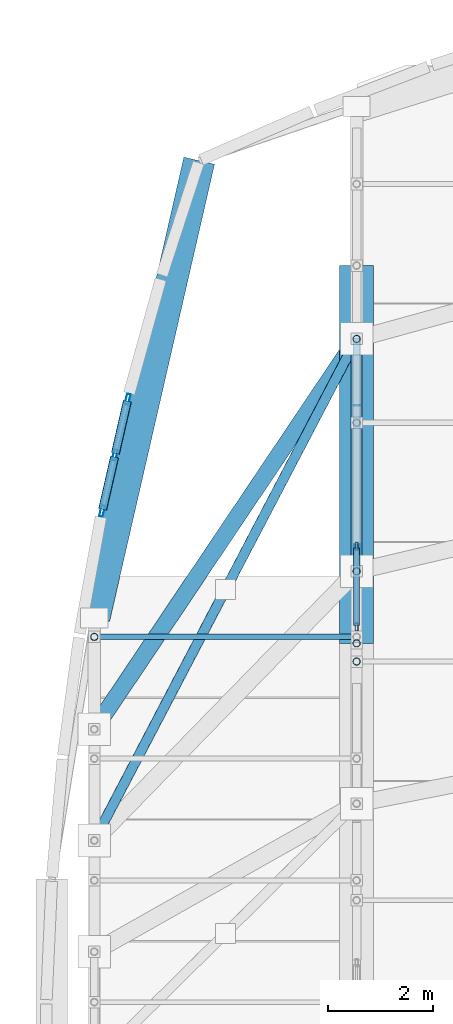
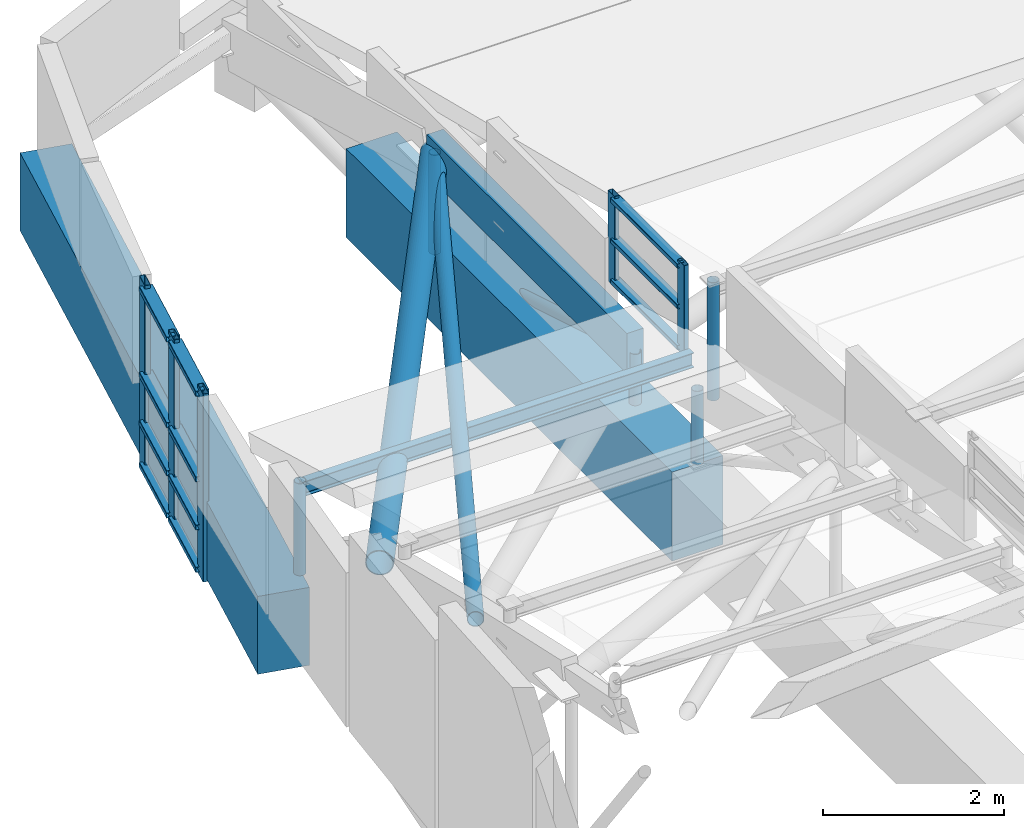
# One storey, part 86 of 188: 26 members, 2 beams, 2 elements without a shape of their own.
"""IFC4 building model written with IfcOpenShell, lengths in metres."""

from ifc_helpers import new_model, si_unit, direction, frame, origin, origin_2d, place, context, subcontext, project, spatial, rectangle, hollow_rectangle, hollow_circle, i_section, extrude, material, layer, layer_set, material_profile, profile_set, type_object, element, aggregate, save


model = new_model("IFC4")

# Units and contexts
model_context = context("Model", 3, precision=1e-05, world=origin(), true_north=direction((0.0, 1.0)))
body_context = subcontext(model_context, "Body", "Model", "MODEL_VIEW")
ifc_project = project(units=[si_unit("LENGTHUNIT", "METRE"), si_unit("AREAUNIT", "SQUARE_METRE"), si_unit("VOLUMEUNIT", "CUBIC_METRE"), si_unit("PLANEANGLEUNIT", "RADIAN"), si_unit("MASSUNIT", "GRAM", prefix="KILO")], contexts=[model_context])

# Site, building, storey
site_placement = place(None, origin())
site = spatial("IfcSite", under=ifc_project, at=site_placement, CompositionType="ELEMENT")
building_placement = place(site_placement, origin())
building = spatial("IfcBuilding", under=site, at=building_placement, Name="Kisaragi Civic Commons", CompositionType="ELEMENT")
storey_placement = place(building_placement, frame((0.0, 0.0, 9.60009765625)))
storey = spatial("IfcBuildingStorey", under=building, at=storey_placement, Name="L02", CompositionType="ELEMENT", Elevation=9.60009765625)

# Member
ifc_material_1 = material(Name="Steel SN400 (SN400B)", Category="steel")
ifc_material_profile_1 = material_profile(ifc_material_1, hollow_circle(Radius=0.095458984375, WallThickness=0.006103515625, at=origin_2d()), Name="CHS-190.7x6.0", Category="steel")
ifc_profile_set_1 = profile_set([ifc_material_profile_1], Name="Steel SN400 (SN400B)")
member_type_1 = type_object("IfcMemberType", Name="BR-06", PredefinedType="BRACE", material=ifc_profile_set_1)
member_1_placement = place(storey_placement, frame((1.800048828125, 100.641845703125, 1.8857421875), z_axis=(0.460388992371, 0.880291628527, -0.114580209673), x_axis=(-0.886127665261, 0.463441216184, 0.0)))
element("IfcMember", 1, at=member_1_placement, inside=storey, type_object=member_type_1, Name="V2 roof wind brace 3", PredefinedType="BRACE", context=body_context, shape_type="SweptSolid", body=[
    extrude(hollow_circle(Radius=0.095458984375, WallThickness=0.006103515625, at=origin_2d()), origin(), (0.0, 0.0, 1.0), 10.8603515625),
])

# Curtain wall, members
ifc_material_2 = material(Name="Thermally broken anodized aluminium and low-E double glazing", Category="aluminium")
ifc_layer_1 = layer(ifc_material_2, 0.14990234375, Name="Thermally broken anodized aluminium and low-E double glazing", Category="aluminium")
ifc_layer_set_1 = layer_set([ifc_layer_1], Name="Thermally broken anodized aluminium and low-E double glazing")
curtain_wall_type_1 = type_object("IfcCurtainWallType", Name="CW-03", PredefinedType="NOTDEFINED", material=ifc_layer_set_1)
curtain_wall_1_placement = place(storey_placement, origin())
curtain_wall_1 = element("IfcCurtainWall", 2, at=curtain_wall_1_placement, inside=storey, type_object=curtain_wall_type_1, Name="L02 curtain wall CW-03 CW-CL-V2-178", PredefinedType="NOTDEFINED")
ifc_material_profile_2 = material_profile(ifc_material_2, hollow_rectangle(XDim=0.06005859375, YDim=0.14990234375, WallThickness=0.00390625, InnerFilletRadius=0.00390625, OuterFilletRadius=0.008056640625, at=origin_2d()), Name="CWM-60x150x4", Category="aluminium")
ifc_profile_set_2 = profile_set([ifc_material_profile_2], Name="Thermally broken anodized aluminium and low-E double glazing")
member_type_2 = type_object("IfcMemberType", Name="CWM-01", PredefinedType="MULLION", material=ifc_profile_set_2)
member_2_placement = place(storey_placement, frame((6.800048828125, 104.713134765625, 1.2666015625), z_axis=(0.0, 0.0, 1.0), x_axis=(-1.0, 0.0, 0.0)))
member_2 = element("IfcMember", 3, at=member_2_placement, type_object=member_type_2, Name="CW-03 mullion 1", PredefinedType="MULLION", context=body_context, shape_type="SweptSolid", body=[
    extrude(hollow_rectangle(XDim=0.06005859375, YDim=0.14990234375, WallThickness=0.00390625, InnerFilletRadius=0.00390625, OuterFilletRadius=0.008056640625, at=origin_2d()), origin(), (0.0, 0.0, 1.0), 1.219482421875),
])
member_3_placement = place(storey_placement, frame((6.800048828125, 106.250244140625, 1.2666015625), z_axis=(0.0, 0.0, 1.0), x_axis=(-1.0, 0.0, 0.0)))
member_3 = element("IfcMember", 4, at=member_3_placement, type_object=member_type_2, Name="CW-03 mullion 2", PredefinedType="MULLION", context=body_context, shape_type="SweptSolid", body=[
    extrude(hollow_rectangle(XDim=0.06005859375, YDim=0.14990234375, WallThickness=0.00390625, InnerFilletRadius=0.00390625, OuterFilletRadius=0.008056640625, at=origin_2d()), origin(), (0.0, 0.0, 1.0), 1.219482421875),
])

ifc_layer_2 = layer(ifc_material_2, 0.2099609375, Name="Thermally broken anodized aluminium and low-E double glazing", Category="aluminium")
ifc_layer_set_2 = layer_set([ifc_layer_2], Name="Thermally broken anodized aluminium and low-E double glazing")
curtain_wall_type_2 = type_object("IfcCurtainWallType", Name="CW-02", PredefinedType="NOTDEFINED", material=ifc_layer_set_2)
curtain_wall_2_placement = place(storey_placement, origin())
curtain_wall_2 = element("IfcCurtainWall", 5, at=curtain_wall_2_placement, inside=storey, type_object=curtain_wall_type_2, Name="L02 curtain wall CW-02 CW-GAB-V2-222", PredefinedType="NOTDEFINED")
ifc_material_profile_3 = material_profile(ifc_material_2, hollow_rectangle(XDim=0.070068359375, YDim=0.2099609375, WallThickness=0.0048828125, InnerFilletRadius=0.0048828125, OuterFilletRadius=0.010009765625, at=origin_2d()), Name="CWM-70x210x5", Category="aluminium")
ifc_profile_set_3 = profile_set([ifc_material_profile_3], Name="Thermally broken anodized aluminium and low-E double glazing")
member_type_3 = type_object("IfcMemberType", Name="CWM-03", PredefinedType="MULLION", material=ifc_profile_set_3)
member_4_placement = place(storey_placement, frame((1.94970703125, 106.919677734375, -1.399169921875), z_axis=(0.0, 0.0, 1.0), x_axis=(-0.974843931572, 0.222888557527, 0.0)))
member_4 = element("IfcMember", 6, at=member_4_placement, type_object=member_type_3, Name="CW-02 mullion 1", PredefinedType="MULLION", context=body_context, shape_type="SweptSolid", body=[
    extrude(hollow_rectangle(XDim=0.070068359375, YDim=0.2099609375, WallThickness=0.0048828125, InnerFilletRadius=0.0048828125, OuterFilletRadius=0.010009765625, at=origin_2d()), origin(), (0.0, 0.0, 1.0), 2.534423828125),
])
member_5_placement = place(storey_placement, frame((2.193603515625, 107.985595703125, -1.399169921875), z_axis=(0.0, 0.0, 1.0), x_axis=(-0.974843931572, 0.222888557527, 0.0)))
member_5 = element("IfcMember", 7, at=member_5_placement, type_object=member_type_3, Name="CW-02 mullion 2", PredefinedType="MULLION", context=body_context, shape_type="SweptSolid", body=[
    extrude(hollow_rectangle(XDim=0.070068359375, YDim=0.2099609375, WallThickness=0.0048828125, InnerFilletRadius=0.0048828125, OuterFilletRadius=0.010009765625, at=origin_2d()), origin(), (0.0, 0.0, 1.0), 2.534423828125),
])
member_6_placement = place(storey_placement, frame((2.437255859375, 109.0517578125, -1.399169921875), z_axis=(0.0, 0.0, 1.0), x_axis=(-0.974843931572, 0.222888557527, 0.0)))
member_6 = element("IfcMember", 8, at=member_6_placement, type_object=member_type_3, Name="CW-02 mullion 3", PredefinedType="MULLION", context=body_context, shape_type="SweptSolid", body=[
    extrude(hollow_rectangle(XDim=0.070068359375, YDim=0.2099609375, WallThickness=0.0048828125, InnerFilletRadius=0.0048828125, OuterFilletRadius=0.010009765625, at=origin_2d()), origin(), (0.0, 0.0, 1.0), 2.534423828125),
])

# Member
ifc_material_profile_4 = material_profile(ifc_material_2, hollow_rectangle(XDim=0.1201171875, YDim=0.06005859375, WallThickness=0.00390625, InnerFilletRadius=0.00390625, OuterFilletRadius=0.008056640625, at=origin_2d()), Name="CWT-60x120x4", Category="aluminium")
ifc_profile_set_4 = profile_set([ifc_material_profile_4], Name="Thermally broken anodized aluminium and low-E double glazing")
member_type_4 = type_object("IfcMemberType", Name="CWT-01", PredefinedType="USERDEFINED", material=ifc_profile_set_4)
member_7_placement = place(storey_placement, frame((6.800048828125, 104.7431640625, 1.326416015625), z_axis=(0.0, 1.0, 0.0), x_axis=(-1.0, 0.0, 0.0)))
member_7 = element("IfcMember", 9, at=member_7_placement, type_object=member_type_4, Name="CW-03 transom 1.1", ObjectType="TRANSOM", PredefinedType="USERDEFINED", context=body_context, shape_type="SweptSolid", body=[
    extrude(hollow_rectangle(XDim=0.1201171875, YDim=0.06005859375, WallThickness=0.00390625, InnerFilletRadius=0.00390625, OuterFilletRadius=0.008056640625, at=origin_2d()), origin(), (0.0, 0.0, 1.0), 1.47705078125),
])

member_8_placement = place(storey_placement, frame((6.800048828125, 104.7431640625, 1.876220703125), z_axis=(0.0, 1.0, 0.0), x_axis=(-1.0, 0.0, 0.0)))
member_8 = element("IfcMember", 10, at=member_8_placement, type_object=member_type_4, Name="CW-03 transom 1.2", ObjectType="TRANSOM", PredefinedType="USERDEFINED", context=body_context, shape_type="SweptSolid", body=[
    extrude(hollow_rectangle(XDim=0.1201171875, YDim=0.06005859375, WallThickness=0.00390625, InnerFilletRadius=0.00390625, OuterFilletRadius=0.008056640625, at=origin_2d()), origin(), (0.0, 0.0, 1.0), 1.47705078125),
])

member_9_placement = place(storey_placement, frame((6.800048828125, 104.7431640625, 2.426025390625), z_axis=(0.0, 1.0, 0.0), x_axis=(-1.0, 0.0, 0.0)))
member_9 = element("IfcMember", 11, at=member_9_placement, type_object=member_type_4, Name="CW-03 transom 1.3", ObjectType="TRANSOM", PredefinedType="USERDEFINED", context=body_context, shape_type="SweptSolid", body=[
    extrude(hollow_rectangle(XDim=0.1201171875, YDim=0.06005859375, WallThickness=0.00390625, InnerFilletRadius=0.00390625, OuterFilletRadius=0.008056640625, at=origin_2d()), origin(), (0.0, 0.0, 1.0), 1.47705078125),
])

aggregate(curtain_wall_1, [member_2, member_3, member_7, member_8, member_9])

ifc_material_profile_5 = material_profile(ifc_material_2, hollow_rectangle(XDim=0.159912109375, YDim=0.070068359375, WallThickness=0.0048828125, InnerFilletRadius=0.0048828125, OuterFilletRadius=0.010009765625, at=origin_2d()), Name="CWT-70x160x5", Category="aluminium")
ifc_profile_set_5 = profile_set([ifc_material_profile_5], Name="Thermally broken anodized aluminium and low-E double glazing")
member_type_5 = type_object("IfcMemberType", Name="CWT-03", PredefinedType="USERDEFINED", material=ifc_profile_set_5)
member_10_placement = place(storey_placement, frame((1.95751953125, 106.953857421875, -1.319091796875), z_axis=(0.223012612654, 0.974815559271, 0.0), x_axis=(-0.974815559271, 0.223012612654, 0.0)))
member_10 = element("IfcMember", 12, at=member_10_placement, type_object=member_type_5, Name="CW-02 transom 1.1", ObjectType="TRANSOM", PredefinedType="USERDEFINED", context=body_context, shape_type="SweptSolid", body=[
    extrude(hollow_rectangle(XDim=0.159912109375, YDim=0.070068359375, WallThickness=0.0048828125, InnerFilletRadius=0.0048828125, OuterFilletRadius=0.010009765625, at=origin_2d()), origin(), (0.0, 0.0, 1.0), 1.023681640625),
])

member_11_placement = place(storey_placement, frame((1.95751953125, 106.953857421875, -0.7490234375), z_axis=(0.223012612654, 0.974815559271, 0.0), x_axis=(-0.974815559271, 0.223012612654, 0.0)))
member_11 = element("IfcMember", 13, at=member_11_placement, type_object=member_type_5, Name="CW-02 transom 1.2", ObjectType="TRANSOM", PredefinedType="USERDEFINED", context=body_context, shape_type="SweptSolid", body=[
    extrude(hollow_rectangle(XDim=0.159912109375, YDim=0.070068359375, WallThickness=0.0048828125, InnerFilletRadius=0.0048828125, OuterFilletRadius=0.010009765625, at=origin_2d()), origin(), (0.0, 0.0, 1.0), 1.023681640625),
])

member_12_placement = place(storey_placement, frame((1.95751953125, 106.953857421875, -0.09912109375), z_axis=(0.223012612654, 0.974815559271, 0.0), x_axis=(-0.974815559271, 0.223012612654, 0.0)))
member_12 = element("IfcMember", 14, at=member_12_placement, type_object=member_type_5, Name="CW-02 transom 1.3", ObjectType="TRANSOM", PredefinedType="USERDEFINED", context=body_context, shape_type="SweptSolid", body=[
    extrude(hollow_rectangle(XDim=0.159912109375, YDim=0.070068359375, WallThickness=0.0048828125, InnerFilletRadius=0.0048828125, OuterFilletRadius=0.010009765625, at=origin_2d()), origin(), (0.0, 0.0, 1.0), 1.023681640625),
])

member_13_placement = place(storey_placement, frame((1.95751953125, 106.953857421875, 1.055419921875), z_axis=(0.223012612654, 0.974815559271, 0.0), x_axis=(-0.974815559271, 0.223012612654, 0.0)))
member_13 = element("IfcMember", 15, at=member_13_placement, type_object=member_type_5, Name="CW-02 transom 1.4", ObjectType="TRANSOM", PredefinedType="USERDEFINED", context=body_context, shape_type="SweptSolid", body=[
    extrude(hollow_rectangle(XDim=0.159912109375, YDim=0.070068359375, WallThickness=0.0048828125, InnerFilletRadius=0.0048828125, OuterFilletRadius=0.010009765625, at=origin_2d()), origin(), (0.0, 0.0, 1.0), 1.023681640625),
])

member_14_placement = place(storey_placement, frame((2.201416015625, 108.019775390625, -1.319091796875), z_axis=(0.222785940924, 0.974867388175, 0.0), x_axis=(-0.974867388175, 0.222785940924, 0.0)))
member_14 = element("IfcMember", 16, at=member_14_placement, type_object=member_type_5, Name="CW-02 transom 2.1", ObjectType="TRANSOM", PredefinedType="USERDEFINED", context=body_context, shape_type="SweptSolid", body=[
    extrude(hollow_rectangle(XDim=0.159912109375, YDim=0.070068359375, WallThickness=0.0048828125, InnerFilletRadius=0.0048828125, OuterFilletRadius=0.010009765625, at=origin_2d()), origin(), (0.0, 0.0, 1.0), 1.0234375),
])

member_15_placement = place(storey_placement, frame((2.201416015625, 108.019775390625, -0.7490234375), z_axis=(0.222785940924, 0.974867388175, 0.0), x_axis=(-0.974867388175, 0.222785940924, 0.0)))
member_15 = element("IfcMember", 17, at=member_15_placement, type_object=member_type_5, Name="CW-02 transom 2.2", ObjectType="TRANSOM", PredefinedType="USERDEFINED", context=body_context, shape_type="SweptSolid", body=[
    extrude(hollow_rectangle(XDim=0.159912109375, YDim=0.070068359375, WallThickness=0.0048828125, InnerFilletRadius=0.0048828125, OuterFilletRadius=0.010009765625, at=origin_2d()), origin(), (0.0, 0.0, 1.0), 1.0234375),
])

member_16_placement = place(storey_placement, frame((2.201416015625, 108.019775390625, -0.09912109375), z_axis=(0.222785940924, 0.974867388175, 0.0), x_axis=(-0.974867388175, 0.222785940924, 0.0)))
member_16 = element("IfcMember", 18, at=member_16_placement, type_object=member_type_5, Name="CW-02 transom 2.3", ObjectType="TRANSOM", PredefinedType="USERDEFINED", context=body_context, shape_type="SweptSolid", body=[
    extrude(hollow_rectangle(XDim=0.159912109375, YDim=0.070068359375, WallThickness=0.0048828125, InnerFilletRadius=0.0048828125, OuterFilletRadius=0.010009765625, at=origin_2d()), origin(), (0.0, 0.0, 1.0), 1.0234375),
])

member_17_placement = place(storey_placement, frame((2.201416015625, 108.019775390625, 1.055419921875), z_axis=(0.222785940924, 0.974867388175, 0.0), x_axis=(-0.974867388175, 0.222785940924, 0.0)))
member_17 = element("IfcMember", 19, at=member_17_placement, type_object=member_type_5, Name="CW-02 transom 2.4", ObjectType="TRANSOM", PredefinedType="USERDEFINED", context=body_context, shape_type="SweptSolid", body=[
    extrude(hollow_rectangle(XDim=0.159912109375, YDim=0.070068359375, WallThickness=0.0048828125, InnerFilletRadius=0.0048828125, OuterFilletRadius=0.010009765625, at=origin_2d()), origin(), (0.0, 0.0, 1.0), 1.0234375),
])

aggregate(curtain_wall_2, [member_4, member_5, member_6, member_10, member_11, member_12, member_13, member_14, member_15, member_16, member_17])

# Beams
ifc_material_3 = material(Name="Concrete Fc36", Category="concrete")
ifc_material_profile_6 = material_profile(ifc_material_3, rectangle(XDim=0.60009765625, YDim=1.050048828125, at=origin_2d()), Name="RC-600x1050", Category="concrete")
ifc_profile_set_6 = profile_set([ifc_material_profile_6], Name="Concrete Fc36")
beam_type_1 = type_object("IfcBeamType", Name="G-06", PredefinedType="BEAM", material=ifc_profile_set_6)
beam_1_placement = place(storey_placement, frame((3.800048828125, 113.60009765625, -0.84521484375), z_axis=(-0.223643093075, -0.974671107051, 0.0), x_axis=(0.974671107051, -0.223643093075, 0.0)))
element("IfcBeam", 20, at=beam_1_placement, inside=storey, type_object=beam_type_1, Name="L02 curved spandrel/ring girder G-06 277", PredefinedType="BEAM", context=body_context, shape_type="SweptSolid", body=[
    extrude(rectangle(XDim=0.60009765625, YDim=1.050048828125, at=origin_2d()), origin(), (0.0, 0.0, 1.0), 8.94287109375),
])
ifc_material_profile_7 = material_profile(ifc_material_3, rectangle(XDim=0.64990234375, YDim=1.199951171875, at=origin_2d()), Name="RC-650x1200", Category="concrete")
ifc_profile_set_7 = profile_set([ifc_material_profile_7], Name="Concrete Fc36")
beam_type_2 = type_object("IfcBeamType", Name="G-07", PredefinedType="BEAM", material=ifc_profile_set_7)
beam_2_placement = place(storey_placement, frame((6.800048828125, 104.39990234375, -0.650146484375), z_axis=(0.0, 1.0, 0.0), x_axis=(-1.0, 0.0, 0.0)))
element("IfcBeam", 21, at=beam_2_placement, inside=storey, type_object=beam_type_2, Name="V2 arch transfer RC girder G-07 R1", PredefinedType="BEAM", context=body_context, shape_type="SweptSolid", body=[
    extrude(rectangle(XDim=0.64990234375, YDim=1.199951171875, at=origin_2d()), origin(), (0.0, 0.0, 1.0), 7.2001953125),
])

# Members
ifc_material_4 = material(Name="Steel SN490 (SN490B)", Category="steel")
ifc_material_profile_8 = material_profile(ifc_material_4, hollow_circle(Radius=0.1591796875, WallThickness=0.01025390625, at=origin_2d()), Name="CHS-318.5x10.3", Category="steel")
ifc_profile_set_8 = profile_set([ifc_material_profile_8], Name="Steel SN490 (SN490B)")
member_type_6 = type_object("IfcMemberType", Name="GC-03", PredefinedType="CHORD", material=ifc_profile_set_8)
member_18_placement = place(storey_placement, frame((1.800048828125, 102.7626953125, 1.359619140625), z_axis=(0.556031603307, 0.827314209764, -0.079875243014), x_axis=(-0.829966060598, 0.557813892132, 0.0)))
element("IfcMember", 22, at=member_18_placement, inside=storey, type_object=member_type_6, Name="V2 wave gridshell chord GC-03 7", PredefinedType="CHORD", context=body_context, shape_type="SweptSolid", body=[
    extrude(hollow_circle(Radius=0.1591796875, WallThickness=0.01025390625, at=origin_2d()), origin(), (0.0, 0.0, 1.0), 8.9921875),
])
ifc_material_5 = material(Name="Glulam E120-F330", Category="wood")
ifc_material_profile_9 = material_profile(ifc_material_5, rectangle(XDim=0.2099609375, YDim=0.5400390625, at=origin_2d()), Name="GL-210x540", Category="wood")
ifc_profile_set_9 = profile_set([ifc_material_profile_9], Name="Glulam E120-F330")
member_type_7 = type_object("IfcMemberType", Name="GR-04", PredefinedType="RAFTER", material=ifc_profile_set_9)
member_19_placement = place(storey_placement, frame((6.800048828125, 105.773193359375, 0.641357421875), z_axis=(0.0, 1.0, 0.0), x_axis=(-1.0, 0.0, 0.0)))
element("IfcMember", 23, at=member_19_placement, inside=storey, type_object=member_type_7, Name="V2 glulam arch rib GR-04 15", PredefinedType="RAFTER", context=body_context, shape_type="SweptSolid", body=[
    extrude(rectangle(XDim=0.2099609375, YDim=0.5400390625, at=origin_2d()), origin(), (0.0, 0.0, 1.0), 4.428955078125),
])
ifc_material_profile_10 = material_profile(ifc_material_1, i_section(OverallWidth=0.10009765625, OverallDepth=0.199951171875, WebThickness=0.005615234375, FlangeThickness=0.008056640625, FilletRadius=0.008056640625, at=origin_2d()), Name="H-200x100x5.5x8", Category="steel")
ifc_profile_set_10 = profile_set([ifc_material_profile_10], Name="Steel SN400 (SN400B)")
member_type_8 = type_object("IfcMemberType", Name="PR-02", PredefinedType="PURLIN", material=ifc_profile_set_10)
member_20_placement = place(storey_placement, frame((1.800048828125, 104.523193359375, 1.30419921875), z_axis=(1.0, 0.0, 0.0), x_axis=(0.0, 1.0, 0.0)))
element("IfcMember", 24, at=member_20_placement, inside=storey, type_object=member_type_8, Name="V2 wave vault steel purlin 8", PredefinedType="PURLIN", context=body_context, shape_type="SweptSolid", body=[
    extrude(i_section(OverallWidth=0.10009765625, OverallDepth=0.199951171875, WebThickness=0.005615234375, FlangeThickness=0.008056640625, FilletRadius=0.008056640625, at=origin_2d()), origin(), (0.0, 0.0, 1.0), 5.0),
])
ifc_material_profile_11 = material_profile(ifc_material_4, hollow_circle(Radius=0.06982421875, WallThickness=0.006103515625, at=origin_2d()), Name="CHS-139.8x6.0", Category="steel")
ifc_profile_set_11 = profile_set([ifc_material_profile_11], Name="Steel SN490 (SN490B)")
member_type_9 = type_object("IfcMemberType", Name="ST-H1", PredefinedType="STRUT", material=ifc_profile_set_11)
for number, where, z_axis, x_axis, name in (
    (25, (6.800048828125, 105.773193359375, -0.69921875), (0.0, 0.0, 1.0), (1.0, 0.0, 0.0), "V2 arch tie hanger strut 22"),
    (26, (6.800048828125, 110.2021484375, -0.69921875), (0.0, 0.0, 1.0), (1.0, 0.0, 0.0), "V2 arch tie hanger strut 23"),
):
    element("IfcMember", number, at=place(storey_placement, frame(where, z_axis=z_axis, x_axis=x_axis)), inside=storey, type_object=member_type_9, Name=name, PredefinedType="STRUT", context=body_context, shape_type="SweptSolid", body=[
        extrude(hollow_circle(Radius=0.06982421875, WallThickness=0.006103515625, at=origin_2d()), origin(), (0.0, 0.0, 1.0), 1.340576171875),
    ])
member_21_placement = place(storey_placement, frame((6.800048828125, 110.2021484375, -0.69921875), z_axis=(0.0, -0.957116209134, 0.289704266819), x_axis=(1.0, 0.0, 0.0)))
element("IfcMember", 27, at=member_21_placement, inside=storey, type_object=member_type_9, Name="V2 tied arch truss diagonal web strut 29", PredefinedType="STRUT", context=body_context, shape_type="SweptSolid", body=[
    extrude(hollow_circle(Radius=0.06982421875, WallThickness=0.006103515625, at=origin_2d()), origin(), (0.0, 0.0, 1.0), 4.62744140625),
])
member_22_placement = place(storey_placement, frame((6.800048828125, 104.39990234375, -0.02001953125), z_axis=(0.0, 0.0, 1.0), x_axis=(1.0, 0.0, 0.0)))
element("IfcMember", 28, at=member_22_placement, inside=storey, type_object=member_type_9, Name="V2 interior column arch support post (6.8,104.4)", PredefinedType="STRUT", context=body_context, shape_type="SweptSolid", body=[
    extrude(hollow_circle(Radius=0.06982421875, WallThickness=0.006103515625, at=origin_2d()), origin(), (0.0, 0.0, 1.0), 0.99365234375),
])
member_23_placement = place(storey_placement, frame((1.800048828125, 104.523193359375, 0.16455078125), z_axis=(0.0, 0.0, 1.0), x_axis=(1.0, 0.0, 0.0)))
element("IfcMember", 29, at=member_23_placement, inside=storey, type_object=member_type_9, Name="V2 clerestory monitor horizontal tie strut 1.0.8", PredefinedType="STRUT", context=body_context, shape_type="SweptSolid", body=[
    extrude(hollow_circle(Radius=0.06982421875, WallThickness=0.006103515625, at=origin_2d()), origin(), (0.0, 0.0, 1.0), 1.23974609375),
])
member_24_placement = place(storey_placement, frame((6.800048828125, 104.052490234375, 1.057861328125), z_axis=(0.0, 0.0, 1.0), x_axis=(1.0, 0.0, 0.0)))
element("IfcMember", 30, at=member_24_placement, inside=storey, type_object=member_type_9, Name="V2 clerestory monitor horizontal tie strut 2.1.6", PredefinedType="STRUT", context=body_context, shape_type="SweptSolid", body=[
    extrude(hollow_circle(Radius=0.06982421875, WallThickness=0.006103515625, at=origin_2d()), origin(), (0.0, 0.0, 1.0), 1.591552734375),
])

save(model, "model.ifc")
